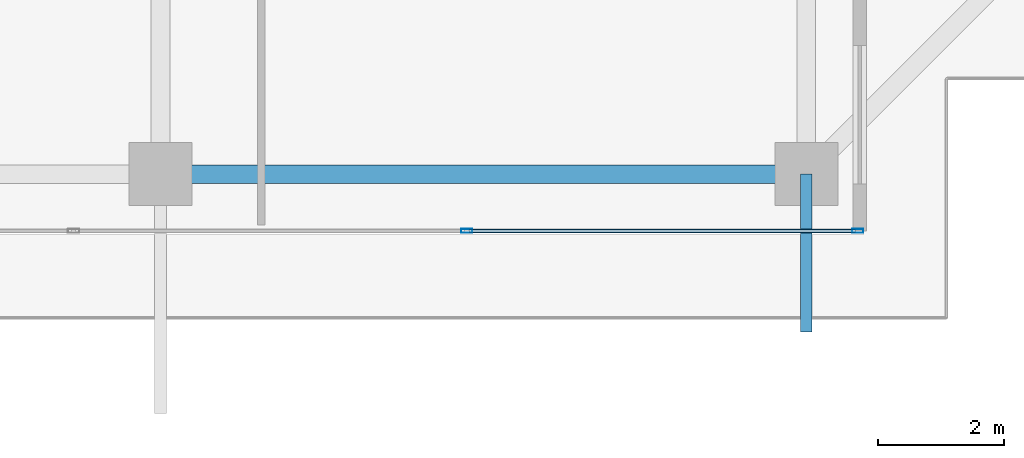
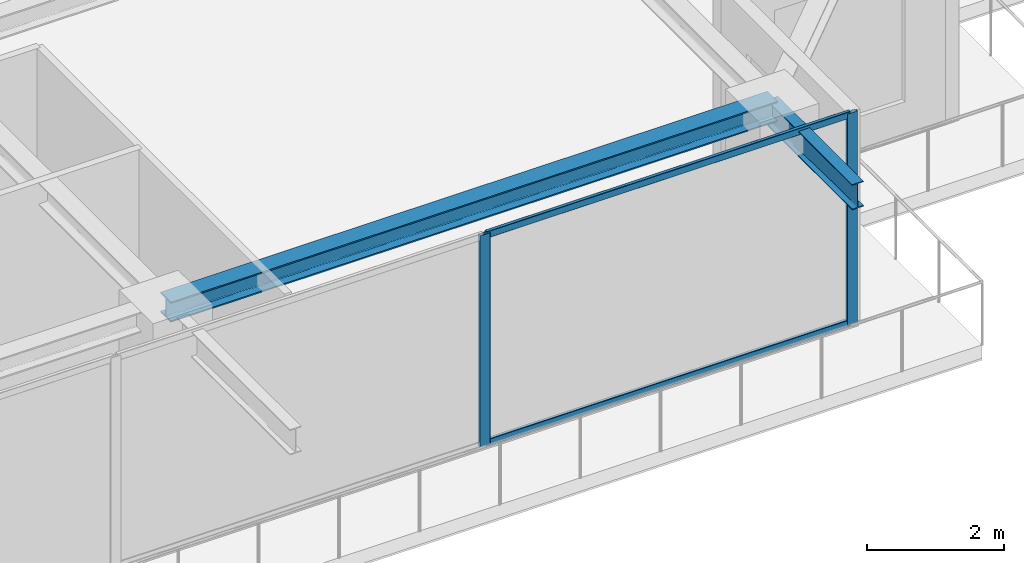
# One storey, part 11 of 37: 4 members, 2 beams, 1 element without a shape of its own.
"""IFC4 building model written with IfcOpenShell, lengths in metres."""

from ifc_helpers import new_model, si_unit, direction, frame, origin, origin_2d, place, context, subcontext, project, spatial, hollow_rectangle, i_section, extrude, source, transform, mapped, material, layer, layer_set, material_profile, profile_set, type_object, element, aggregate, save


model = new_model("IFC4")

# Units and contexts
model_context = context("Model", 3, precision=1e-05, world=origin(), true_north=direction((0.0, 1.0)))
body_context = subcontext(model_context, "Body", "Model", "MODEL_VIEW")
ifc_project = project(units=[si_unit("LENGTHUNIT", "METRE"), si_unit("AREAUNIT", "SQUARE_METRE"), si_unit("VOLUMEUNIT", "CUBIC_METRE"), si_unit("PLANEANGLEUNIT", "RADIAN"), si_unit("MASSUNIT", "GRAM", prefix="KILO")], contexts=[model_context])

# Site, building, storey
site_placement = place(None, origin())
site = spatial("IfcSite", under=ifc_project, at=site_placement, CompositionType="ELEMENT")
building_placement = place(site_placement, origin())
building = spatial("IfcBuilding", under=site, at=building_placement, Name="Serunith Strait Residences", CompositionType="ELEMENT")
storey_placement = place(building_placement, frame((0.0, 0.0, 317.75)))
storey = spatial("IfcBuildingStorey", under=building, at=storey_placement, Name="L79", CompositionType="ELEMENT", Elevation=317.75)

# Beams
ifc_material_1 = material(Name="Steel S355J2", Category="steel")
ifc_material_profile_1 = material_profile(ifc_material_1, i_section(OverallWidth=0.300048828125, OverallDepth=0.360107421875, WebThickness=0.012451171875, FlangeThickness=0.0224609375, FilletRadius=0.027099609375, at=origin_2d()), Name="HEB 360")
ifc_profile_set_1 = profile_set([ifc_material_profile_1], Name="Steel S355J2")
beam_type_1 = type_object("IfcBeamType", Name="BM-HEB360", PredefinedType="BEAM", material=ifc_profile_set_1)
shared_shape_1 = source(origin(), body_context, "Body", "SweptSolid", [
    extrude(i_section(OverallWidth=0.300048828125, OverallDepth=0.360107421875, WebThickness=0.012451171875, FlangeThickness=0.0224609375, FilletRadius=0.027099609375, at=origin_2d()), origin(), (0.0, 0.0, 1.0), 10.25),
])
beam_1_placement = place(storey_placement, frame((36.89990234375, 3.300048828125, 3.60693359375), z_axis=(1.0, 0.0, 0.0), x_axis=(0.0, 1.0, 0.0)))
element("IfcBeam", 1, at=beam_1_placement, inside=storey, type_object=beam_type_1, Name="L79 Perimeter Ring Beam 03", PredefinedType="BEAM", context=body_context, shape_type="MappedRepresentation", body=[
    mapped(shared_shape_1, transform((0.0, 0.0, 0.0), scale=1.0)),
])
ifc_material_profile_2 = material_profile(ifc_material_1, i_section(OverallWidth=0.18994140625, OverallDepth=0.449951171875, WebThickness=0.009521484375, FlangeThickness=0.0146484375, FilletRadius=0.02099609375, at=origin_2d()), Name="IPE 450")
ifc_profile_set_2 = profile_set([ifc_material_profile_2], Name="Steel S355J2")
beam_type_2 = type_object("IfcBeamType", Name="BM-IPE450", PredefinedType="JOIST", material=ifc_profile_set_2)
shared_shape_2 = source(origin(), body_context, "Body", "SweptSolid", [
    extrude(i_section(OverallWidth=0.18994140625, OverallDepth=0.449951171875, WebThickness=0.009521484375, FlangeThickness=0.0146484375, FilletRadius=0.02099609375, at=origin_2d()), origin(), (0.0, 0.0, 1.0), 2.50146484375),
])
beam_2_placement = place(storey_placement, frame((47.14990234375, 3.300048828125, 3.531982421875), z_axis=(0.0, -1.0, 0.0), x_axis=(1.0, 0.0, 0.0)))
element("IfcBeam", 2, at=beam_2_placement, inside=storey, type_object=beam_type_2, Name="L80 Cantilevered Balcony Rib TC-S4", PredefinedType="JOIST", context=body_context, shape_type="MappedRepresentation", body=[
    mapped(shared_shape_2, transform((0.0, 0.0, 0.0), scale=1.0)),
])

# Curtain wall, members
ifc_material_2 = material(Name="Brushed Stainless-Silver Aluminium", Category="aluminium")
ifc_layer = layer(ifc_material_2, 0.199951171875, Name="Brushed Stainless-Silver Aluminium")
ifc_layer_set = layer_set([ifc_layer], Name="Brushed Stainless-Silver Aluminium")
curtain_wall_type = type_object("IfcCurtainWallType", Name="CW-SYS5", PredefinedType="NOTDEFINED", material=ifc_layer_set)
curtain_wall_placement = place(storey_placement, origin())
curtain_wall = element("IfcCurtainWall", 3, at=curtain_wall_placement, inside=storey, type_object=curtain_wall_type, Name="L79 S Unitised Fritted Curtain Wall", PredefinedType="NOTDEFINED")
ifc_material_profile_3 = material_profile(ifc_material_2, hollow_rectangle(XDim=0.06005859375, YDim=0.1201171875, WallThickness=0.00341796875, InnerFilletRadius=0.00537109375, OuterFilletRadius=0.0087890625, at=origin_2d()), Name="ALU 120x60x3.5")
ifc_profile_set_3 = profile_set([ifc_material_profile_3], Name="Brushed Stainless-Silver Aluminium")
member_type_1 = type_object("IfcMemberType", Name="CW-SYS5-TRAN", PredefinedType="USERDEFINED", material=ifc_profile_set_3)
shared_shape_3 = source(origin(), body_context, "Body", "SweptSolid", [
    extrude(hollow_rectangle(XDim=0.06005859375, YDim=0.1201171875, WallThickness=0.00341796875, InnerFilletRadius=0.00537109375, OuterFilletRadius=0.0087890625, at=origin_2d()), origin(), (0.0, 0.0, 1.0), 6.142578125),
])
member_1_placement = place(storey_placement, frame((41.79248046875, 2.39990234375, 0.030029296875), z_axis=(1.0, 0.0, 0.0), x_axis=(0.0, 1.0, 0.0)))
member_1 = element("IfcMember", 4, at=member_1_placement, type_object=member_type_1, Name="CW-5 transom 5.1", ObjectType="TRANSOM", PredefinedType="USERDEFINED", context=body_context, shape_type="MappedRepresentation", body=[
    mapped(shared_shape_3, transform((0.0, 0.0, 0.0), scale=1.0)),
])
member_2_placement = place(storey_placement, frame((41.79248046875, 2.39990234375, 3.7451171875), z_axis=(1.0, 0.0, 0.0), x_axis=(0.0, 1.0, 0.0)))
member_2 = element("IfcMember", 5, at=member_2_placement, type_object=member_type_1, Name="CW-5 transom 5.2", ObjectType="TRANSOM", PredefinedType="USERDEFINED", context=body_context, shape_type="MappedRepresentation", body=[
    mapped(shared_shape_3, transform((0.0, 0.0, 0.0), scale=1.0)),
])
ifc_material_profile_4 = material_profile(ifc_material_2, hollow_rectangle(XDim=0.06494140625, YDim=0.179931640625, WallThickness=0.00341796875, InnerFilletRadius=0.00537109375, OuterFilletRadius=0.0087890625, at=origin_2d()), Name="ALU 180x65x3.5")
ifc_profile_set_4 = profile_set([ifc_material_profile_4], Name="Brushed Stainless-Silver Aluminium")
member_type_2 = type_object("IfcMemberType", Name="CW-SYS5-MULL", PredefinedType="MULLION", material=ifc_profile_set_4)
shared_shape_4 = source(origin(), body_context, "Body", "SweptSolid", [
    extrude(hollow_rectangle(XDim=0.06494140625, YDim=0.179931640625, WallThickness=0.00341796875, InnerFilletRadius=0.00537109375, OuterFilletRadius=0.0087890625, at=origin_2d()), origin(), (0.0, 0.0, 1.0), 3.77490234375),
])
member_3_placement = place(storey_placement, frame((41.760009765625, 2.39990234375, 0.0), z_axis=(0.0, 0.0, 1.0), x_axis=(0.0, 1.0, 0.0)))
member_3 = element("IfcMember", 6, at=member_3_placement, type_object=member_type_2, Name="CW-5 mullion 5", PredefinedType="MULLION", context=body_context, shape_type="MappedRepresentation", body=[
    mapped(shared_shape_4, transform((0.0, 0.0, 0.0), scale=1.0)),
])
member_4_placement = place(storey_placement, frame((47.967529296875, 2.39990234375, 0.0), z_axis=(0.0, 0.0, 1.0), x_axis=(0.0, 1.0, 0.0)))
member_4 = element("IfcMember", 7, at=member_4_placement, type_object=member_type_2, Name="CW-5 mullion 6", PredefinedType="MULLION", context=body_context, shape_type="MappedRepresentation", body=[
    mapped(shared_shape_4, transform((0.0, 0.0, 0.0), scale=1.0)),
])
aggregate(curtain_wall, [member_3, member_4, member_1, member_2])

save(model, "model.ifc")
